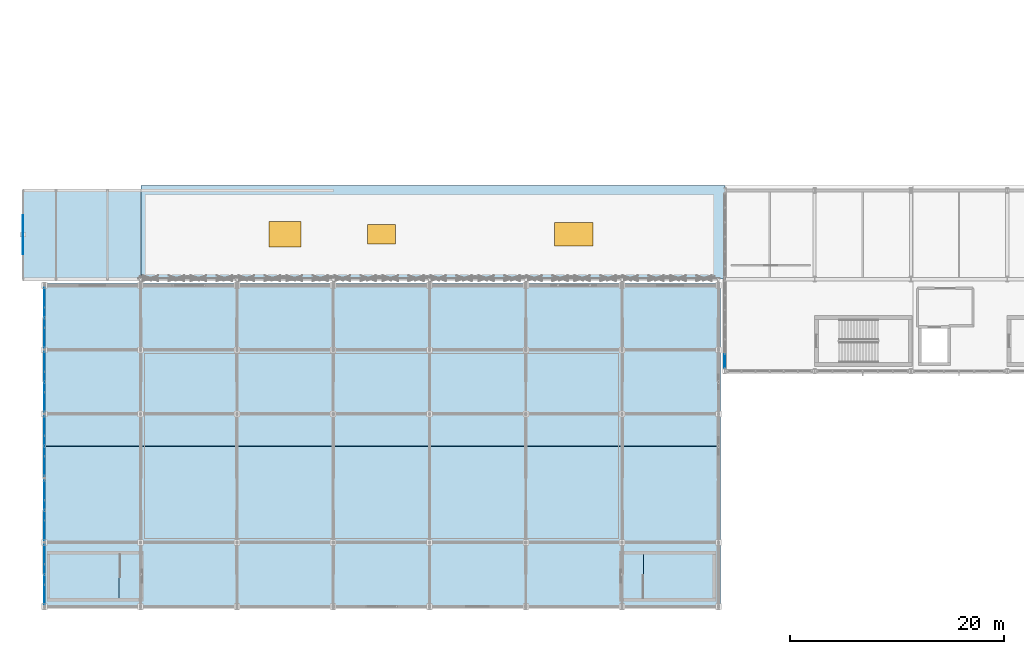
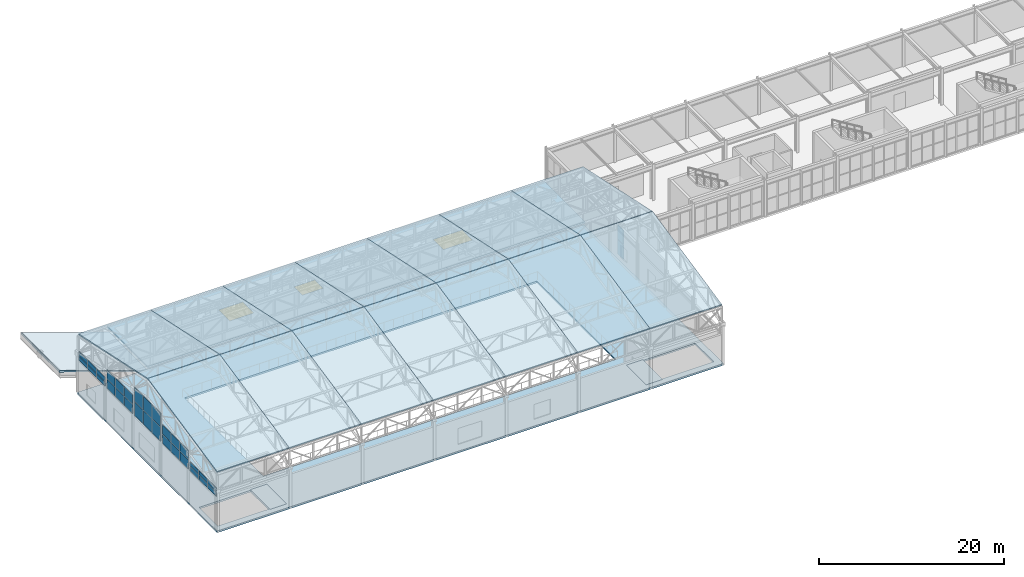
# One storey, part 87 of 112: 33 plates, 19 slabs, 3 windows, 3 openings, 9 elements without a shape of their own.
"""IFC4 building model written with IfcOpenShell, lengths in metres."""

from ifc_helpers import new_model, si_unit, direction, frame, origin, origin_2d, place, context, subcontext, project, spatial, polyline, rectangle, outline, extrude, material, layer, layer_set, type_object, element, fill, aggregate, save


model = new_model("IFC4")

# Units and contexts
model_context = context("Model", 3, precision=1e-05, world=origin(), true_north=direction((0.0, 1.0)))
body_context = subcontext(model_context, "Body", "Model", "MODEL_VIEW")
ifc_project = project(units=[si_unit("LENGTHUNIT", "METRE"), si_unit("AREAUNIT", "SQUARE_METRE"), si_unit("VOLUMEUNIT", "CUBIC_METRE"), si_unit("PLANEANGLEUNIT", "RADIAN"), si_unit("MASSUNIT", "GRAM", prefix="KILO")], contexts=[model_context])

# Site, building, storey
site_placement = place(None, origin())
site = spatial("IfcSite", under=ifc_project, at=site_placement, CompositionType="ELEMENT")
building_placement = place(site_placement, origin())
building = spatial("IfcBuilding", under=site, at=building_placement, Name="Kaldris Quays Convention Centre", CompositionType="ELEMENT")
storey_placement = place(building_placement, frame((0.0, 0.0, 16.800048828125)))
storey = spatial("IfcBuildingStorey", under=building, at=storey_placement, Name="L03", CompositionType="ELEMENT", Elevation=16.800048828125)

# Curtain wall, plates
ifc_material_1 = material(Name="Anodized aluminium AW-6060 and triple glazing", Category="aluminium")
curtain_wall_type_1 = type_object("IfcCurtainWallType", Name="UNITISED CURTAIN WALL CW05", PredefinedType="NOTDEFINED", material=ifc_material_1)
curtain_wall_1_placement = place(storey_placement, origin())
curtain_wall_1 = element("IfcCurtainWall", 1, at=curtain_wall_1_placement, inside=storey, type_object=curtain_wall_type_1, Name="L03 Unitised Curtain Wall CW05 259", PredefinedType="NOTDEFINED")
ifc_material_2 = material(Name="Triple low-E insulated glazing", Category="glass")
plate_type_1 = type_object("IfcPlateType", Name="CURTAIN GLAZING PANEL CWP3", PredefinedType="CURTAIN_PANEL", material=ifc_material_2)
plate_1_placement = place(storey_placement, frame((20.0, 17.1083984375, 4.454833984375), z_axis=(0.0, 0.0, 1.0), x_axis=(0.0, 1.0, 0.0)))
plate_1 = element("IfcPlate", 2, at=plate_1_placement, type_object=plate_type_1, Name="CW05 panel 1.1", PredefinedType="CURTAIN_PANEL", context=body_context, shape_type="SweptSolid", body=[
    extrude(rectangle(XDim=1.816650390625, YDim=0.0390625, at=origin_2d()), origin(), (0.0, 0.0, 1.0), 0.55810546875),
])
plate_2_placement = place(storey_placement, frame((20.0, 17.1083984375, 5.0732421875), z_axis=(0.0, 0.0, 1.0), x_axis=(0.0, 1.0, 0.0)))
plate_2 = element("IfcPlate", 3, at=plate_2_placement, type_object=plate_type_1, Name="CW05 panel 1.2", PredefinedType="CURTAIN_PANEL", context=body_context, shape_type="SweptSolid", body=[
    extrude(rectangle(XDim=1.816650390625, YDim=0.0390625, at=origin_2d()), origin(), (0.0, 0.0, 1.0), 0.556884765625),
])
plate_3_placement = place(storey_placement, frame((20.0, 19.0, 4.454833984375), z_axis=(0.0, 0.0, 1.0), x_axis=(0.0, 1.0, 0.0)))
plate_3 = element("IfcPlate", 4, at=plate_3_placement, type_object=plate_type_1, Name="CW05 panel 2.1", PredefinedType="CURTAIN_PANEL", context=body_context, shape_type="SweptSolid", body=[
    extrude(rectangle(XDim=1.8466796875, YDim=0.0390625, at=origin_2d()), origin(), (0.0, 0.0, 1.0), 0.55810546875),
])
plate_4_placement = place(storey_placement, frame((20.0, 19.0, 5.0732421875), z_axis=(0.0, 0.0, 1.0), x_axis=(0.0, 1.0, 0.0)))
plate_4 = element("IfcPlate", 5, at=plate_4_placement, type_object=plate_type_1, Name="CW05 panel 2.2", PredefinedType="CURTAIN_PANEL", context=body_context, shape_type="SweptSolid", body=[
    extrude(rectangle(XDim=1.8466796875, YDim=0.0390625, at=origin_2d()), origin(), (0.0, 0.0, 1.0), 0.556884765625),
])
plate_5_placement = place(storey_placement, frame((20.0, 20.8916015625, 4.454833984375), z_axis=(0.0, 0.0, 1.0), x_axis=(0.0, 1.0, 0.0)))
plate_5 = element("IfcPlate", 6, at=plate_5_placement, type_object=plate_type_1, Name="CW05 panel 3.1", PredefinedType="CURTAIN_PANEL", context=body_context, shape_type="SweptSolid", body=[
    extrude(rectangle(XDim=1.816650390625, YDim=0.0390625, at=origin_2d()), origin(), (0.0, 0.0, 1.0), 0.55810546875),
])
plate_6_placement = place(storey_placement, frame((20.0, 20.8916015625, 5.0732421875), z_axis=(0.0, 0.0, 1.0), x_axis=(0.0, 1.0, 0.0)))
plate_6 = element("IfcPlate", 7, at=plate_6_placement, type_object=plate_type_1, Name="CW05 panel 3.2", PredefinedType="CURTAIN_PANEL", context=body_context, shape_type="SweptSolid", body=[
    extrude(rectangle(XDim=1.816650390625, YDim=0.0390625, at=origin_2d()), origin(), (0.0, 0.0, 1.0), 0.556884765625),
])
aggregate(curtain_wall_1, [plate_1, plate_2, plate_3, plate_4, plate_5, plate_6])

curtain_wall_2_placement = place(storey_placement, origin())
curtain_wall_2 = element("IfcCurtainWall", 8, at=curtain_wall_2_placement, inside=storey, type_object=curtain_wall_type_1, Name="L03 Unitised Curtain Wall CW05 260", PredefinedType="NOTDEFINED")
plate_type_2 = type_object("IfcPlateType", Name="CURTAIN GLAZING PANEL CWP4", PredefinedType="CURTAIN_PANEL", material=ifc_material_2)
plate_7_placement = place(storey_placement, frame((20.0, 23.1083984375, 4.455078125), z_axis=(0.0, 0.0, 1.0), x_axis=(0.0, 1.0, 0.0)))
plate_7 = element("IfcPlate", 9, at=plate_7_placement, type_object=plate_type_2, Name="CW05 panel 1.1", PredefinedType="CURTAIN_PANEL", context=body_context, shape_type="SweptSolid", body=[
    extrude(rectangle(XDim=1.816650390625, YDim=0.0439453125, at=origin_2d()), origin(), (0.0, 0.0, 1.0), 1.197998046875),
])
plate_8_placement = place(storey_placement, frame((20.0, 23.1083984375, 5.712890625), z_axis=(0.0, 0.0, 1.0), x_axis=(0.0, 1.0, 0.0)))
plate_8 = element("IfcPlate", 10, at=plate_8_placement, type_object=plate_type_2, Name="CW05 panel 1.2", PredefinedType="CURTAIN_PANEL", context=body_context, shape_type="SweptSolid", body=[
    extrude(rectangle(XDim=1.816650390625, YDim=0.0439453125, at=origin_2d()), origin(), (0.0, 0.0, 1.0), 1.197021484375),
])
plate_9_placement = place(storey_placement, frame((20.0, 25.0, 4.455078125), z_axis=(0.0, 0.0, 1.0), x_axis=(0.0, 1.0, 0.0)))
plate_9 = element("IfcPlate", 11, at=plate_9_placement, type_object=plate_type_2, Name="CW05 panel 2.1", PredefinedType="CURTAIN_PANEL", context=body_context, shape_type="SweptSolid", body=[
    extrude(rectangle(XDim=1.8466796875, YDim=0.0439453125, at=origin_2d()), origin(), (0.0, 0.0, 1.0), 1.197998046875),
])
plate_10_placement = place(storey_placement, frame((20.0, 25.0, 5.712890625), z_axis=(0.0, 0.0, 1.0), x_axis=(0.0, 1.0, 0.0)))
plate_10 = element("IfcPlate", 12, at=plate_10_placement, type_object=plate_type_2, Name="CW05 panel 2.2", PredefinedType="CURTAIN_PANEL", context=body_context, shape_type="SweptSolid", body=[
    extrude(rectangle(XDim=1.8466796875, YDim=0.0439453125, at=origin_2d()), origin(), (0.0, 0.0, 1.0), 1.197021484375),
])
plate_11_placement = place(storey_placement, frame((20.0, 26.8916015625, 4.455078125), z_axis=(0.0, 0.0, 1.0), x_axis=(0.0, 1.0, 0.0)))
plate_11 = element("IfcPlate", 13, at=plate_11_placement, type_object=plate_type_2, Name="CW05 panel 3.1", PredefinedType="CURTAIN_PANEL", context=body_context, shape_type="SweptSolid", body=[
    extrude(rectangle(XDim=1.816650390625, YDim=0.0439453125, at=origin_2d()), origin(), (0.0, 0.0, 1.0), 1.197998046875),
])
plate_12_placement = place(storey_placement, frame((20.0, 26.8916015625, 5.712890625), z_axis=(0.0, 0.0, 1.0), x_axis=(0.0, 1.0, 0.0)))
plate_12 = element("IfcPlate", 14, at=plate_12_placement, type_object=plate_type_2, Name="CW05 panel 3.2", PredefinedType="CURTAIN_PANEL", context=body_context, shape_type="SweptSolid", body=[
    extrude(rectangle(XDim=1.816650390625, YDim=0.0439453125, at=origin_2d()), origin(), (0.0, 0.0, 1.0), 1.197021484375),
])
aggregate(curtain_wall_2, [plate_7, plate_8, plate_9, plate_10, plate_11, plate_12])

curtain_wall_3_placement = place(storey_placement, origin())
curtain_wall_3 = element("IfcCurtainWall", 15, at=curtain_wall_3_placement, inside=storey, type_object=curtain_wall_type_1, Name="L03 Unitised Curtain Wall CW05 261", PredefinedType="NOTDEFINED")
plate_type_3 = type_object("IfcPlateType", Name="CURTAIN GLAZING PANEL CWP5", PredefinedType="CURTAIN_PANEL", material=ifc_material_2)
plate_13_placement = place(storey_placement, frame((20.0, 29.1083984375, 4.455078125), z_axis=(0.0, 0.0, 1.0), x_axis=(0.0, 1.0, 0.0)))
plate_13 = element("IfcPlate", 16, at=plate_13_placement, type_object=plate_type_3, Name="CW05 panel 1.1", PredefinedType="CURTAIN_PANEL", context=body_context, shape_type="SweptSolid", body=[
    extrude(rectangle(XDim=1.816650390625, YDim=0.049072265625, at=origin_2d()), origin(), (0.0, 0.0, 1.0), 1.837890625),
])
plate_14_placement = place(storey_placement, frame((20.0, 29.1083984375, 6.35302734375), z_axis=(0.0, 0.0, 1.0), x_axis=(0.0, 1.0, 0.0)))
plate_14 = element("IfcPlate", 17, at=plate_14_placement, type_object=plate_type_3, Name="CW05 panel 1.2", PredefinedType="CURTAIN_PANEL", context=body_context, shape_type="SweptSolid", body=[
    extrude(rectangle(XDim=1.816650390625, YDim=0.049072265625, at=origin_2d()), origin(), (0.0, 0.0, 1.0), 1.8369140625),
])
plate_15_placement = place(storey_placement, frame((20.0, 31.0, 4.455078125), z_axis=(0.0, 0.0, 1.0), x_axis=(0.0, 1.0, 0.0)))
plate_15 = element("IfcPlate", 18, at=plate_15_placement, type_object=plate_type_3, Name="CW05 panel 2.1", PredefinedType="CURTAIN_PANEL", context=body_context, shape_type="SweptSolid", body=[
    extrude(rectangle(XDim=1.8466796875, YDim=0.049072265625, at=origin_2d()), origin(), (0.0, 0.0, 1.0), 1.837890625),
])
plate_16_placement = place(storey_placement, frame((20.0, 31.0, 6.35302734375), z_axis=(0.0, 0.0, 1.0), x_axis=(0.0, 1.0, 0.0)))
plate_16 = element("IfcPlate", 19, at=plate_16_placement, type_object=plate_type_3, Name="CW05 panel 2.2", PredefinedType="CURTAIN_PANEL", context=body_context, shape_type="SweptSolid", body=[
    extrude(rectangle(XDim=1.8466796875, YDim=0.049072265625, at=origin_2d()), origin(), (0.0, 0.0, 1.0), 1.8369140625),
])
plate_17_placement = place(storey_placement, frame((20.0, 32.8916015625, 4.455078125), z_axis=(0.0, 0.0, 1.0), x_axis=(0.0, 1.0, 0.0)))
plate_17 = element("IfcPlate", 20, at=plate_17_placement, type_object=plate_type_3, Name="CW05 panel 3.1", PredefinedType="CURTAIN_PANEL", context=body_context, shape_type="SweptSolid", body=[
    extrude(rectangle(XDim=1.816650390625, YDim=0.049072265625, at=origin_2d()), origin(), (0.0, 0.0, 1.0), 1.837890625),
])
plate_18_placement = place(storey_placement, frame((20.0, 32.8916015625, 6.35302734375), z_axis=(0.0, 0.0, 1.0), x_axis=(0.0, 1.0, 0.0)))
plate_18 = element("IfcPlate", 21, at=plate_18_placement, type_object=plate_type_3, Name="CW05 panel 3.2", PredefinedType="CURTAIN_PANEL", context=body_context, shape_type="SweptSolid", body=[
    extrude(rectangle(XDim=1.816650390625, YDim=0.049072265625, at=origin_2d()), origin(), (0.0, 0.0, 1.0), 1.8369140625),
])
aggregate(curtain_wall_3, [plate_13, plate_14, plate_15, plate_16, plate_17, plate_18])

curtain_wall_4_placement = place(storey_placement, origin())
curtain_wall_4 = element("IfcCurtainWall", 22, at=curtain_wall_4_placement, inside=storey, type_object=curtain_wall_type_1, Name="L03 Unitised Curtain Wall CW05 262", PredefinedType="NOTDEFINED")
plate_type_4 = type_object("IfcPlateType", Name="CURTAIN GLAZING PANEL CWP6", PredefinedType="CURTAIN_PANEL", material=ifc_material_2)
plate_19_placement = place(storey_placement, frame((20.0, 35.1083984375, 4.455078125), z_axis=(0.0, 0.0, 1.0), x_axis=(0.0, 1.0, 0.0)))
plate_19 = element("IfcPlate", 23, at=plate_19_placement, type_object=plate_type_4, Name="CW05 panel 1.1", PredefinedType="CURTAIN_PANEL", context=body_context, shape_type="SweptSolid", body=[
    extrude(rectangle(XDim=1.816650390625, YDim=0.053955078125, at=origin_2d()), origin(), (0.0, 0.0, 1.0), 1.197998046875),
])
plate_20_placement = place(storey_placement, frame((20.0, 35.1083984375, 5.712890625), z_axis=(0.0, 0.0, 1.0), x_axis=(0.0, 1.0, 0.0)))
plate_20 = element("IfcPlate", 24, at=plate_20_placement, type_object=plate_type_4, Name="CW05 panel 1.2", PredefinedType="CURTAIN_PANEL", context=body_context, shape_type="SweptSolid", body=[
    extrude(rectangle(XDim=1.816650390625, YDim=0.053955078125, at=origin_2d()), origin(), (0.0, 0.0, 1.0), 1.197021484375),
])
plate_21_placement = place(storey_placement, frame((20.0, 37.0, 4.455078125), z_axis=(0.0, 0.0, 1.0), x_axis=(0.0, 1.0, 0.0)))
plate_21 = element("IfcPlate", 25, at=plate_21_placement, type_object=plate_type_4, Name="CW05 panel 2.1", PredefinedType="CURTAIN_PANEL", context=body_context, shape_type="SweptSolid", body=[
    extrude(rectangle(XDim=1.8466796875, YDim=0.053955078125, at=origin_2d()), origin(), (0.0, 0.0, 1.0), 1.197998046875),
])
plate_22_placement = place(storey_placement, frame((20.0, 37.0, 5.712890625), z_axis=(0.0, 0.0, 1.0), x_axis=(0.0, 1.0, 0.0)))
plate_22 = element("IfcPlate", 26, at=plate_22_placement, type_object=plate_type_4, Name="CW05 panel 2.2", PredefinedType="CURTAIN_PANEL", context=body_context, shape_type="SweptSolid", body=[
    extrude(rectangle(XDim=1.8466796875, YDim=0.053955078125, at=origin_2d()), origin(), (0.0, 0.0, 1.0), 1.197021484375),
])
plate_23_placement = place(storey_placement, frame((20.0, 38.8916015625, 4.455078125), z_axis=(0.0, 0.0, 1.0), x_axis=(0.0, 1.0, 0.0)))
plate_23 = element("IfcPlate", 27, at=plate_23_placement, type_object=plate_type_4, Name="CW05 panel 3.1", PredefinedType="CURTAIN_PANEL", context=body_context, shape_type="SweptSolid", body=[
    extrude(rectangle(XDim=1.816650390625, YDim=0.053955078125, at=origin_2d()), origin(), (0.0, 0.0, 1.0), 1.197998046875),
])
plate_24_placement = place(storey_placement, frame((20.0, 38.8916015625, 5.712890625), z_axis=(0.0, 0.0, 1.0), x_axis=(0.0, 1.0, 0.0)))
plate_24 = element("IfcPlate", 28, at=plate_24_placement, type_object=plate_type_4, Name="CW05 panel 3.2", PredefinedType="CURTAIN_PANEL", context=body_context, shape_type="SweptSolid", body=[
    extrude(rectangle(XDim=1.816650390625, YDim=0.053955078125, at=origin_2d()), origin(), (0.0, 0.0, 1.0), 1.197021484375),
])
aggregate(curtain_wall_4, [plate_19, plate_20, plate_21, plate_22, plate_23, plate_24])

curtain_wall_5_placement = place(storey_placement, origin())
curtain_wall_5 = element("IfcCurtainWall", 29, at=curtain_wall_5_placement, inside=storey, type_object=curtain_wall_type_1, Name="L03 Unitised Curtain Wall CW05 263", PredefinedType="NOTDEFINED")
plate_type_5 = type_object("IfcPlateType", Name="CURTAIN GLAZING PANEL CWP7", PredefinedType="CURTAIN_PANEL", material=ifc_material_2)
plate_25_placement = place(storey_placement, frame((20.0, 41.1083984375, 4.454833984375), z_axis=(0.0, 0.0, 1.0), x_axis=(0.0, 1.0, 0.0)))
plate_25 = element("IfcPlate", 30, at=plate_25_placement, type_object=plate_type_5, Name="CW05 panel 1.1", PredefinedType="CURTAIN_PANEL", context=body_context, shape_type="SweptSolid", body=[
    extrude(rectangle(XDim=1.816650390625, YDim=0.05908203125, at=origin_2d()), origin(), (0.0, 0.0, 1.0), 0.55810546875),
])
plate_26_placement = place(storey_placement, frame((20.0, 41.1083984375, 5.0732421875), z_axis=(0.0, 0.0, 1.0), x_axis=(0.0, 1.0, 0.0)))
plate_26 = element("IfcPlate", 31, at=plate_26_placement, type_object=plate_type_5, Name="CW05 panel 1.2", PredefinedType="CURTAIN_PANEL", context=body_context, shape_type="SweptSolid", body=[
    extrude(rectangle(XDim=1.816650390625, YDim=0.05908203125, at=origin_2d()), origin(), (0.0, 0.0, 1.0), 0.556884765625),
])
plate_27_placement = place(storey_placement, frame((20.0, 43.0, 4.454833984375), z_axis=(0.0, 0.0, 1.0), x_axis=(0.0, 1.0, 0.0)))
plate_27 = element("IfcPlate", 32, at=plate_27_placement, type_object=plate_type_5, Name="CW05 panel 2.1", PredefinedType="CURTAIN_PANEL", context=body_context, shape_type="SweptSolid", body=[
    extrude(rectangle(XDim=1.8466796875, YDim=0.05908203125, at=origin_2d()), origin(), (0.0, 0.0, 1.0), 0.55810546875),
])
plate_28_placement = place(storey_placement, frame((20.0, 43.0, 5.0732421875), z_axis=(0.0, 0.0, 1.0), x_axis=(0.0, 1.0, 0.0)))
plate_28 = element("IfcPlate", 33, at=plate_28_placement, type_object=plate_type_5, Name="CW05 panel 2.2", PredefinedType="CURTAIN_PANEL", context=body_context, shape_type="SweptSolid", body=[
    extrude(rectangle(XDim=1.8466796875, YDim=0.05908203125, at=origin_2d()), origin(), (0.0, 0.0, 1.0), 0.556884765625),
])
plate_29_placement = place(storey_placement, frame((20.0, 44.8916015625, 4.454833984375), z_axis=(0.0, 0.0, 1.0), x_axis=(0.0, 1.0, 0.0)))
plate_29 = element("IfcPlate", 34, at=plate_29_placement, type_object=plate_type_5, Name="CW05 panel 3.1", PredefinedType="CURTAIN_PANEL", context=body_context, shape_type="SweptSolid", body=[
    extrude(rectangle(XDim=1.816650390625, YDim=0.05908203125, at=origin_2d()), origin(), (0.0, 0.0, 1.0), 0.55810546875),
])
plate_30_placement = place(storey_placement, frame((20.0, 44.8916015625, 5.0732421875), z_axis=(0.0, 0.0, 1.0), x_axis=(0.0, 1.0, 0.0)))
plate_30 = element("IfcPlate", 35, at=plate_30_placement, type_object=plate_type_5, Name="CW05 panel 3.2", PredefinedType="CURTAIN_PANEL", context=body_context, shape_type="SweptSolid", body=[
    extrude(rectangle(XDim=1.816650390625, YDim=0.05908203125, at=origin_2d()), origin(), (0.0, 0.0, 1.0), 0.556884765625),
])
aggregate(curtain_wall_5, [plate_25, plate_26, plate_27, plate_28, plate_29, plate_30])

curtain_wall_type_2 = type_object("IfcCurtainWallType", Name="UNITISED CURTAIN WALL CW04", PredefinedType="NOTDEFINED", material=ifc_material_1)
curtain_wall_6_placement = place(storey_placement, origin())
curtain_wall_6 = element("IfcCurtainWall", 36, at=curtain_wall_6_placement, inside=storey, type_object=curtain_wall_type_2, Name="L03 Unitised Curtain Wall CW04 128", PredefinedType="NOTDEFINED")
plate_type_6 = type_object("IfcPlateType", Name="CURTAIN GLAZING PANEL CWP8", PredefinedType="CURTAIN_PANEL", material=ifc_material_2)
plate_31_placement = place(storey_placement, frame((83.60009765625, 38.9482421875, 0.059814453125), z_axis=(0.0, 0.0, 1.0), x_axis=(0.0, 1.0, 0.0)))
plate_31 = element("IfcPlate", 37, at=plate_31_placement, type_object=plate_type_6, Name="CW04 panel 1.1", PredefinedType="CURTAIN_PANEL", context=body_context, shape_type="SweptSolid", body=[
    extrude(rectangle(XDim=1.276611328125, YDim=0.06396484375, at=origin_2d()), origin(), (0.0, 0.0, 1.0), 1.89208984375),
])
plate_32_placement = place(storey_placement, frame((83.60009765625, 38.9482421875, 2.011962890625), z_axis=(0.0, 0.0, 1.0), x_axis=(0.0, 1.0, 0.0)))
plate_32 = element("IfcPlate", 38, at=plate_32_placement, type_object=plate_type_6, Name="CW04 panel 1.2", PredefinedType="CURTAIN_PANEL", context=body_context, shape_type="SweptSolid", body=[
    extrude(rectangle(XDim=1.276611328125, YDim=0.06396484375, at=origin_2d()), origin(), (0.0, 0.0, 1.0), 1.89306640625),
])
aggregate(curtain_wall_6, [plate_31, plate_32])

# Slabs
ifc_material_3 = material(Name="Concrete C35/45", Category="concrete")
ifc_layer_1 = layer(ifc_material_3, 0.27490234375)
ifc_layer_set_1 = layer_set([ifc_layer_1], Name="Concrete C35/45")
slab_type_1 = type_object("IfcSlabType", Name="STRUCTURAL SLAB FS05", PredefinedType="FLOOR", material=ifc_layer_set_1)
slab_1_placement = place(storey_placement, frame((0.0, 0.0, -0.275146484375)))
element("IfcSlab", 39, at=slab_1_placement, inside=storey, type_object=slab_type_1, Name="L03 ST05 Core Floor Landing Slab", PredefinedType="FLOOR", context=body_context, shape_type="SweptSolid", body=[
    extrude(outline(polyline([(29.070068359375, 20.969970703125), (27.0, 20.969970703125), (27.0, 16.679931640625), (29.070068359375, 16.679931640625), (29.070068359375, 20.969970703125)])), origin(), (0.0, 0.0, 1.0), 0.275146484375),
])
slab_2_placement = place(storey_placement, frame((0.0, 0.0, -0.275146484375)))
element("IfcSlab", 40, at=slab_2_placement, inside=storey, type_object=slab_type_1, Name="L03 ST06 Core Floor Landing Slab", PredefinedType="FLOOR", context=body_context, shape_type="SweptSolid", body=[
    extrude(outline(polyline([(73.929931640625, 16.679931640625), (76.0, 16.679931640625), (76.0, 20.969970703125), (73.929931640625, 20.969970703125), (73.929931640625, 16.679931640625)])), origin(), (0.0, 0.0, 1.0), 0.275146484375),
])
ifc_layer_2 = layer(ifc_material_3, 0.235107421875)
ifc_layer_set_2 = layer_set([ifc_layer_2], Name="Concrete C35/45")
slab_type_2 = type_object("IfcSlabType", Name="STRUCTURAL SLAB FS07", PredefinedType="FLOOR", material=ifc_layer_set_2)
slab_3_placement = place(storey_placement, frame((0.0, 0.0, -0.235107421875)))
element("IfcSlab", 41, at=slab_3_placement, inside=storey, type_object=slab_type_2, Name="L03 V3 L03 Ballroom Balcony Gallery SLAB-L03-V3", PredefinedType="FLOOR", context=body_context, shape_type="SweptSolid", body=[
    extrude(outline(polyline([(20.0, 16.0), (20.0, 46.199951171875), (83.199951171875, 46.199951171875), (83.199951171875, 16.0), (20.0, 16.0)]), holes=[polyline([(26.99951171875, 16.677978515625), (29.07177734375, 16.67919921875), (29.071044921875, 20.9716796875), (26.999755859375, 20.971923828125), (26.998046875, 20.85009765625), (20.550048828125, 20.85009765625), (20.550048828125, 16.800048828125), (26.998046875, 16.800048828125), (26.99951171875, 16.677978515625)]), polyline([(73.927978515625, 20.970703125), (73.92919921875, 16.67822265625), (76.000244140625, 16.677978515625), (76.001953125, 16.800048828125), (82.449951171875, 16.800048828125), (82.449951171875, 20.85009765625), (76.001953125, 20.85009765625), (76.000244140625, 20.971923828125), (73.927978515625, 20.970703125)]), polyline([(73.5, 39.5), (29.5, 39.5), (29.5, 22.5), (73.5, 22.5), (73.5, 39.5)])]), origin(), (0.0, 0.0, 1.0), 0.235107421875),
])

# Roof, slab, openings, windows
ifc_layer_3 = layer(ifc_material_3, 0.205078125)
ifc_layer_set_3 = layer_set([ifc_layer_3], Name="Concrete C35/45")
roof_type_1 = type_object("IfcRoofType", Name="GREEN FLAT ROOF RF03", PredefinedType="FLAT_ROOF", material=ifc_layer_set_3)
roof_1_placement = place(storey_placement, origin())
roof_1 = element("IfcRoof", 42, at=roof_1_placement, inside=storey, type_object=roof_type_1, Name="V4 West Wing Flat Roof", PredefinedType="FLAT_ROOF")
ifc_layer_4 = layer(ifc_material_3, 0.205078125)
ifc_layer_set_4 = layer_set([ifc_layer_4], Name="Concrete C35/45")
slab_type_3 = type_object("IfcSlabType", Name="STRUCTURAL SLAB RS01", PredefinedType="ROOF", material=ifc_layer_set_4)
slab_4_placement = place(storey_placement, frame((0.0, 0.0, -0.205078125)))
slab_4 = element("IfcSlab", 43, at=slab_4_placement, type_object=slab_type_3, Name="L03 V4 West Wing Roof SLAB-L03-V4WROOF", PredefinedType="ROOF", context=body_context, shape_type="SweptSolid", body=[
    extrude(outline(polyline([(29.02001953125, 46.60009765625), (29.02001953125, 55.375), (83.60009765625, 55.375), (83.60009765625, 46.60009765625), (29.02001953125, 46.60009765625)])), origin(), (0.0, 0.0, 1.0), 0.205078125),
])
opening_1_placement = place(slab_4_placement, frame((42.5, 50.800048828125, 0.0)))
opening_1 = element("IfcOpeningElement", 44, at=opening_1_placement, cuts=slab_4, Name="Opening SK02", PredefinedType="OPENING", context=body_context, shape_type="SweptSolid", body=[
    extrude(rectangle(XDim=3.0, YDim=2.39990234375, at=origin_2d()), frame((0.0, 0.0, -0.010009765625)), (0.0, 0.0, 1.0), 0.22509765625),
])
opening_2_placement = place(slab_4_placement, frame((51.5, 50.800048828125, 0.0)))
opening_2 = element("IfcOpeningElement", 45, at=opening_2_placement, cuts=slab_4, Name="Opening SK05", PredefinedType="OPENING", context=body_context, shape_type="SweptSolid", body=[
    extrude(rectangle(XDim=2.60009765625, YDim=1.800048828125, at=origin_2d()), frame((0.0, 0.0, -0.010009765625)), (0.0, 0.0, 1.0), 0.22509765625),
])
opening_3_placement = place(slab_4_placement, frame((69.5, 50.800048828125, 0.0)))
opening_3 = element("IfcOpeningElement", 46, at=opening_3_placement, cuts=slab_4, Name="Opening SK06", PredefinedType="OPENING", context=body_context, shape_type="SweptSolid", body=[
    extrude(rectangle(XDim=3.60009765625, YDim=2.199951171875, at=origin_2d()), frame((0.0, 0.0, -0.010009765625)), (0.0, 0.0, 1.0), 0.22509765625),
])
window_type_1 = type_object("IfcWindowType", Name="TRIPLE GLAZED SKYLIGHT SK02", PartitioningType="SINGLE_PANEL", PredefinedType="SKYLIGHT", material=ifc_material_2)
window_1_placement = place(opening_1_placement, frame((0.0, 0.0, 0.155029296875)))
window_1 = element("IfcWindow", 47, at=window_1_placement, inside=storey, type_object=window_type_1, Name="L03 Roof Skylight and RWA Smoke Hatch SK02 15", OverallHeight=2.39990234375, OverallWidth=3.0, PartitioningType="SINGLE_PANEL", PredefinedType="SKYLIGHT", context=body_context, shape_type="SweptSolid", body=[
    extrude(rectangle(XDim=3.0, YDim=2.39990234375, at=origin_2d()), origin(), (0.0, 0.0, 1.0), 0.050048828125),
])
fill(opening_1, window_1)
window_type_2 = type_object("IfcWindowType", Name="TRIPLE GLAZED SKYLIGHT SK05", PartitioningType="SINGLE_PANEL", PredefinedType="SKYLIGHT", material=ifc_material_2)
window_2_placement = place(opening_2_placement, frame((0.0, 0.0, 0.155029296875)))
window_2 = element("IfcWindow", 48, at=window_2_placement, inside=storey, type_object=window_type_2, Name="L03 Roof Skylight and RWA Smoke Hatch SK05 16", OverallHeight=1.800048828125, OverallWidth=2.60009765625, PartitioningType="SINGLE_PANEL", PredefinedType="SKYLIGHT", context=body_context, shape_type="SweptSolid", body=[
    extrude(rectangle(XDim=2.60009765625, YDim=1.800048828125, at=origin_2d()), origin(), (0.0, 0.0, 1.0), 0.050048828125),
])
fill(opening_2, window_2)
window_type_3 = type_object("IfcWindowType", Name="TRIPLE GLAZED SKYLIGHT SK06", PartitioningType="SINGLE_PANEL", PredefinedType="SKYLIGHT", material=ifc_material_2)
window_3_placement = place(opening_3_placement, frame((0.0, 0.0, 0.155029296875)))
window_3 = element("IfcWindow", 49, at=window_3_placement, inside=storey, type_object=window_type_3, Name="L03 Roof Skylight and RWA Smoke Hatch SK06 17", OverallHeight=2.199951171875, OverallWidth=3.60009765625, PartitioningType="SINGLE_PANEL", PredefinedType="SKYLIGHT", context=body_context, shape_type="SweptSolid", body=[
    extrude(rectangle(XDim=3.60009765625, YDim=2.199951171875, at=origin_2d()), origin(), (0.0, 0.0, 1.0), 0.050048828125),
])
fill(opening_3, window_3)
aggregate(roof_1, [slab_4])

# Roof, slabs
ifc_material_4 = material(Name="Steel S355J2", Category="steel")
ifc_layer_5 = layer(ifc_material_4, 0.175048828125)
ifc_layer_set_5 = layer_set([ifc_layer_5], Name="Steel S355J2")
roof_type_2 = type_object("IfcRoofType", Name="SPACE FRAME GABLE ROOF RF01", PredefinedType="GABLE_ROOF", material=ifc_layer_set_5)
roof_2_placement = place(storey_placement, origin())
roof_2 = element("IfcRoof", 50, at=roof_2_placement, inside=storey, type_object=roof_type_2, Name="Space-Frame Roof ROOF-V3-SF", PredefinedType="GABLE_ROOF")
ifc_layer_6 = layer(ifc_material_4, 0.162109375)
ifc_layer_set_6 = layer_set([ifc_layer_6], Name="Steel S355J2")
slab_type_4 = type_object("IfcSlabType", Name="STRUCTURAL SLAB RS04", PredefinedType="ROOF", material=ifc_layer_set_6)
slab_5_placement = place(storey_placement, frame((20.0, 16.0, 7.85498046875), z_axis=(0.0, -0.208647011895, 0.977991014492), x_axis=(1.0, 0.0, 0.0)))
slab_5 = element("IfcSlab", 51, at=slab_5_placement, type_object=slab_type_4, Name="SF-V3 Pitched Roof Deck 1.1", PredefinedType="ROOF", context=body_context, shape_type="SweptSolid", body=[
    extrude(outline(polyline([(0.0, 0.0), (9.0, 0.0), (9.0, 15.312101475726175), (0.0, 15.312101475726175), (0.0, 0.0)])), origin(), (0.0, 0.0, -1.0), 0.162109375),
])
slab_6_placement = place(storey_placement, frame((29.0, 16.0, 7.85498046875), z_axis=(0.0, -0.208647011895, 0.977991014492), x_axis=(1.0, 0.0, 0.0)))
slab_6 = element("IfcSlab", 52, at=slab_6_placement, type_object=slab_type_4, Name="SF-V3 Pitched Roof Deck 1.2", PredefinedType="ROOF", context=body_context, shape_type="SweptSolid", body=[
    extrude(outline(polyline([(0.0, 0.0), (9.0, 0.0), (9.0, 15.312101475726175), (0.0, 15.312101475726175), (0.0, 0.0)])), origin(), (0.0, 0.0, -1.0), 0.162109375),
])
slab_7_placement = place(storey_placement, frame((38.0, 16.0, 7.85498046875), z_axis=(0.0, -0.208647011895, 0.977991014492), x_axis=(1.0, 0.0, 0.0)))
slab_7 = element("IfcSlab", 53, at=slab_7_placement, type_object=slab_type_4, Name="SF-V3 Pitched Roof Deck 1.3", PredefinedType="ROOF", context=body_context, shape_type="SweptSolid", body=[
    extrude(outline(polyline([(0.0, 0.0), (9.0, 0.0), (9.0, 15.312101475726175), (0.0, 15.312101475726175), (0.0, 0.0)])), origin(), (0.0, 0.0, -1.0), 0.162109375),
])
slab_8_placement = place(storey_placement, frame((47.0, 16.0, 7.85498046875), z_axis=(0.0, -0.208647011895, 0.977991014492), x_axis=(1.0, 0.0, 0.0)))
slab_8 = element("IfcSlab", 54, at=slab_8_placement, type_object=slab_type_4, Name="SF-V3 Pitched Roof Deck 1.4", PredefinedType="ROOF", context=body_context, shape_type="SweptSolid", body=[
    extrude(outline(polyline([(0.0, 0.0), (9.0, 0.0), (9.0, 15.312101475726175), (0.0, 15.312101475726175), (0.0, 0.0)])), origin(), (0.0, 0.0, -1.0), 0.162109375),
])
slab_9_placement = place(storey_placement, frame((56.0, 16.0, 7.85498046875), z_axis=(0.0, -0.208647011895, 0.977991014492), x_axis=(1.0, 0.0, 0.0)))
slab_9 = element("IfcSlab", 55, at=slab_9_placement, type_object=slab_type_4, Name="SF-V3 Pitched Roof Deck 1.5", PredefinedType="ROOF", context=body_context, shape_type="SweptSolid", body=[
    extrude(outline(polyline([(0.0, 0.0), (9.0, 0.0), (9.0, 15.312101475726175), (0.0, 15.312101475726175), (0.0, 0.0)])), origin(), (0.0, 0.0, -1.0), 0.162109375),
])
slab_10_placement = place(storey_placement, frame((65.0, 16.0, 7.85498046875), z_axis=(0.0, -0.208647011895, 0.977991014492), x_axis=(1.0, 0.0, 0.0)))
slab_10 = element("IfcSlab", 56, at=slab_10_placement, type_object=slab_type_4, Name="SF-V3 Pitched Roof Deck 1.6", PredefinedType="ROOF", context=body_context, shape_type="SweptSolid", body=[
    extrude(outline(polyline([(0.0, 0.0), (9.0, 0.0), (9.0, 15.312101475726175), (0.0, 15.312101475726175), (0.0, 0.0)])), origin(), (0.0, 0.0, -1.0), 0.162109375),
])
slab_11_placement = place(storey_placement, frame((74.0, 16.0, 7.85498046875), z_axis=(0.0, -0.208647011895, 0.977991014492), x_axis=(1.0, 0.0, 0.0)))
slab_11 = element("IfcSlab", 57, at=slab_11_placement, type_object=slab_type_4, Name="SF-V3 Pitched Roof Deck 1.7", PredefinedType="ROOF", context=body_context, shape_type="SweptSolid", body=[
    extrude(outline(polyline([(0.0, 0.0), (9.0, 0.0), (9.0, 15.312101475726175), (0.0, 15.312101475726175), (0.0, 0.0)])), origin(), (0.0, 0.0, -1.0), 0.162109375),
])
slab_12_placement = place(storey_placement, frame((20.0, 31.02490234375, 11.0498046875), z_axis=(0.0, 0.208647011895, 0.977991014492), x_axis=(1.0, 0.0, 0.0)))
slab_12 = element("IfcSlab", 58, at=slab_12_placement, type_object=slab_type_4, Name="SF-V3 Pitched Roof Deck 2.1", PredefinedType="ROOF", context=body_context, shape_type="SweptSolid", body=[
    extrude(outline(polyline([(0.0, 0.0), (9.0, 0.0), (9.0, 15.312101475726175), (0.0, 15.312101475726175), (0.0, 0.0)])), origin(), (0.0, 0.0, -1.0), 0.162109375),
])
slab_13_placement = place(storey_placement, frame((29.0, 31.02490234375, 11.0498046875), z_axis=(0.0, 0.208647011895, 0.977991014492), x_axis=(1.0, 0.0, 0.0)))
slab_13 = element("IfcSlab", 59, at=slab_13_placement, type_object=slab_type_4, Name="SF-V3 Pitched Roof Deck 2.2", PredefinedType="ROOF", context=body_context, shape_type="SweptSolid", body=[
    extrude(outline(polyline([(0.0, 0.0), (9.0, 0.0), (9.0, 15.312101475726175), (0.0, 15.312101475726175), (0.0, 0.0)])), origin(), (0.0, 0.0, -1.0), 0.162109375),
])
slab_14_placement = place(storey_placement, frame((38.0, 31.02490234375, 11.0498046875), z_axis=(0.0, 0.208647011895, 0.977991014492), x_axis=(1.0, 0.0, 0.0)))
slab_14 = element("IfcSlab", 60, at=slab_14_placement, type_object=slab_type_4, Name="SF-V3 Pitched Roof Deck 2.3", PredefinedType="ROOF", context=body_context, shape_type="SweptSolid", body=[
    extrude(outline(polyline([(0.0, 0.0), (9.0, 0.0), (9.0, 15.312101475726175), (0.0, 15.312101475726175), (0.0, 0.0)])), origin(), (0.0, 0.0, -1.0), 0.162109375),
])
slab_15_placement = place(storey_placement, frame((47.0, 31.02490234375, 11.0498046875), z_axis=(0.0, 0.208647011895, 0.977991014492), x_axis=(1.0, 0.0, 0.0)))
slab_15 = element("IfcSlab", 61, at=slab_15_placement, type_object=slab_type_4, Name="SF-V3 Pitched Roof Deck 2.4", PredefinedType="ROOF", context=body_context, shape_type="SweptSolid", body=[
    extrude(outline(polyline([(0.0, 0.0), (9.0, 0.0), (9.0, 15.312101475726175), (0.0, 15.312101475726175), (0.0, 0.0)])), origin(), (0.0, 0.0, -1.0), 0.162109375),
])
slab_16_placement = place(storey_placement, frame((56.0, 31.02490234375, 11.0498046875), z_axis=(0.0, 0.208647011895, 0.977991014492), x_axis=(1.0, 0.0, 0.0)))
slab_16 = element("IfcSlab", 62, at=slab_16_placement, type_object=slab_type_4, Name="SF-V3 Pitched Roof Deck 2.5", PredefinedType="ROOF", context=body_context, shape_type="SweptSolid", body=[
    extrude(outline(polyline([(0.0, 0.0), (9.0, 0.0), (9.0, 15.312101475726175), (0.0, 15.312101475726175), (0.0, 0.0)])), origin(), (0.0, 0.0, -1.0), 0.162109375),
])
slab_17_placement = place(storey_placement, frame((65.0, 31.02490234375, 11.0498046875), z_axis=(0.0, 0.208647011895, 0.977991014492), x_axis=(1.0, 0.0, 0.0)))
slab_17 = element("IfcSlab", 63, at=slab_17_placement, type_object=slab_type_4, Name="SF-V3 Pitched Roof Deck 2.6", PredefinedType="ROOF", context=body_context, shape_type="SweptSolid", body=[
    extrude(outline(polyline([(0.0, 0.0), (9.0, 0.0), (9.0, 15.312101475726175), (0.0, 15.312101475726175), (0.0, 0.0)])), origin(), (0.0, 0.0, -1.0), 0.162109375),
])
slab_18_placement = place(storey_placement, frame((74.0, 31.02490234375, 11.0498046875), z_axis=(0.0, 0.208647011895, 0.977991014492), x_axis=(1.0, 0.0, 0.0)))
slab_18 = element("IfcSlab", 64, at=slab_18_placement, type_object=slab_type_4, Name="SF-V3 Pitched Roof Deck 2.7", PredefinedType="ROOF", context=body_context, shape_type="SweptSolid", body=[
    extrude(outline(polyline([(0.0, 0.0), (9.0, 0.0), (9.0, 15.312101475726175), (0.0, 15.312101475726175), (0.0, 0.0)])), origin(), (0.0, 0.0, -1.0), 0.162109375),
])
aggregate(roof_2, [slab_5, slab_6, slab_7, slab_8, slab_9, slab_10, slab_11, slab_12, slab_13, slab_14, slab_15, slab_16, slab_17, slab_18])

# Roof, slab
ifc_layer_7 = layer(ifc_material_4, 0.196044921875)
ifc_layer_set_7 = layer_set([ifc_layer_7], Name="Steel S355J2")
roof_type_3 = type_object("IfcRoofType", Name="WING SHED ROOF RF02", PredefinedType="SHED_ROOF", material=ifc_layer_set_7)
roof_3_placement = place(storey_placement, origin())
roof_3 = element("IfcRoof", 65, at=roof_3_placement, inside=storey, type_object=roof_type_3, Name="West Arrival Foyer Raised Cantilever Wing Roof", PredefinedType="SHED_ROOF")
ifc_layer_8 = layer(ifc_material_4, 0.196044921875)
ifc_layer_set_8 = layer_set([ifc_layer_8], Name="Steel S355J2")
slab_type_5 = type_object("IfcSlabType", Name="STRUCTURAL SLAB WR01", PredefinedType="ROOF", material=ifc_layer_set_8)
slab_19_placement = place(storey_placement, frame((18.0, 46.60009765625, 3.307861328125), z_axis=(0.325567686474, 0.0, 0.945518736739), x_axis=(0.945518736739, 0.0, -0.325567686474)))
slab_19 = element("IfcSlab", 66, at=slab_19_placement, type_object=slab_type_5, Name="WR-WEST Tilted Wing Roof Slab 1", PredefinedType="ROOF", context=body_context, shape_type="SweptSolid", body=[
    extrude(outline(polyline([(0.0, 0.0), (11.633825510365476, 0.0), (11.633825510365476, 8.2998046875), (0.0, 8.2998046875), (0.0, 0.0)])), origin(), (0.0, 0.0, -1.0), 0.196044921875),
])
aggregate(roof_3, [slab_19])

# Plate
ifc_material_5 = material(Name="Alabaster white star-pierced anodized aluminium panel", Category="aluminium")
plate_type_7 = type_object("IfcPlateType", Name="WING EAVE FASCIA SHEET FP01", PredefinedType="SHEET", material=ifc_material_5)
plate_33_placement = place(storey_placement, frame((18.0, 50.75, 2.98046875), z_axis=(0.0, 0.0, 1.0), x_axis=(0.0, 1.0, 0.0)))
element("IfcPlate", 67, at=plate_33_placement, inside=storey, type_object=plate_type_7, Name="WR-WEST Wing Eave Fascia Sheet FP01 1", PredefinedType="SHEET", context=body_context, shape_type="SweptSolid", body=[
    extrude(rectangle(XDim=3.659912109375, YDim=0.01611328125, at=origin_2d()), origin(), (0.0, 0.0, 1.0), 0.375),
])

save(model, "model.ifc")
